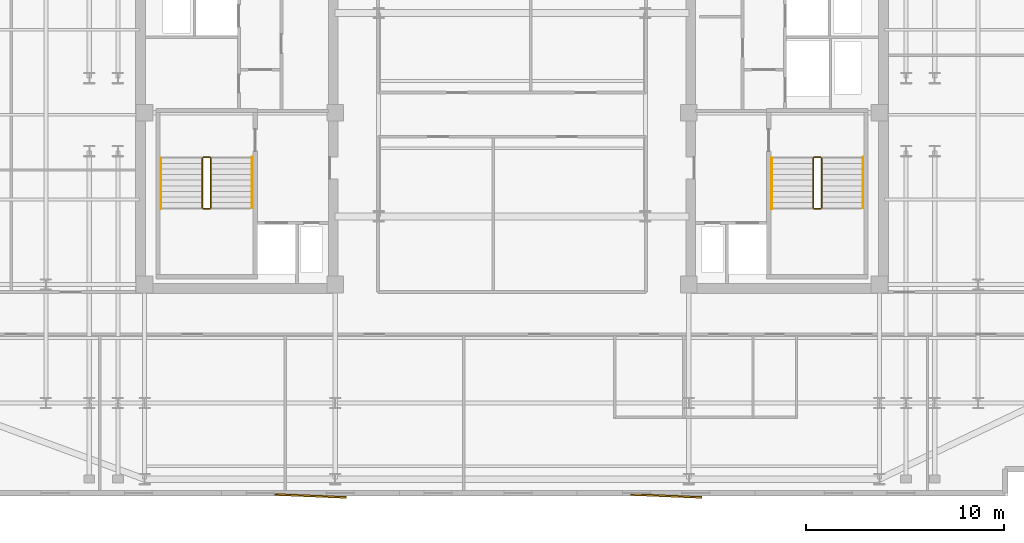
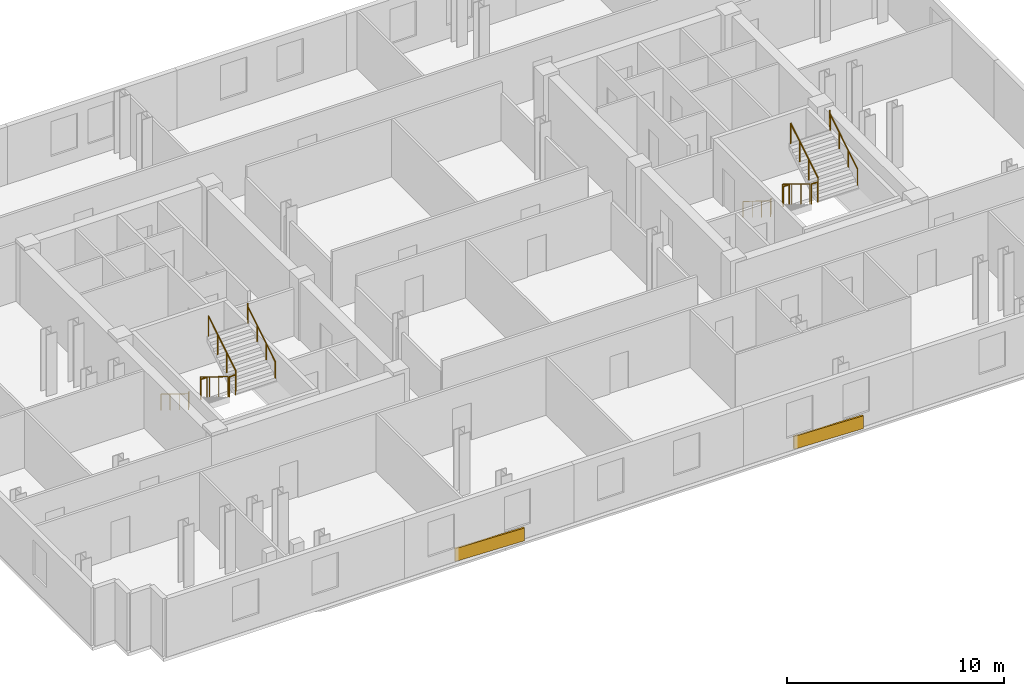
# One storey, part 8 of 9: 12 railings, 2 coverings.
"""IFC4 building model written with IfcOpenShell, lengths in metres."""

from ifc_helpers import new_model, si_unit, direction, frame, origin, origin_2d, place, context, subcontext, project, spatial, rectangle, circle, extrude, material, layer, layer_set, type_object, element, save


model = new_model("IFC4")

# Units and contexts
model_context = context("Model", 3, precision=1e-05, world=origin(), true_north=direction((0.0, 1.0)))
body_context = subcontext(model_context, "Body", "Model", "MODEL_VIEW")
ifc_project = project(units=[si_unit("LENGTHUNIT", "METRE"), si_unit("AREAUNIT", "SQUARE_METRE"), si_unit("VOLUMEUNIT", "CUBIC_METRE"), si_unit("PLANEANGLEUNIT", "RADIAN"), si_unit("MASSUNIT", "GRAM", prefix="KILO")], contexts=[model_context])

# Site, building, storey
site_placement = place(None, origin())
site = spatial("IfcSite", under=ifc_project, at=site_placement, CompositionType="ELEMENT")
building_placement = place(site_placement, origin())
building = spatial("IfcBuilding", under=site, at=building_placement, Name="Velakula Bourse", CompositionType="ELEMENT")
storey_placement = place(building_placement, frame((0.0, 0.0, 222.300048828125)))
storey = spatial("IfcBuildingStorey", under=building, at=storey_placement, Name="L60", CompositionType="ELEMENT", Elevation=222.300048828125)

# Coverings
ifc_material_1 = material(Name="Red kilned clay facing brick masonry", Category="masonry")
ifc_layer = layer(ifc_material_1, 0.090087890625, Name="Red kilned clay facing brick masonry", Category="masonry")
ifc_layer_set = layer_set([ifc_layer], Name="Red kilned clay facing brick masonry")
covering_type = type_object("IfcCoveringType", Name="COV-BRK-FOLD-90", PredefinedType="CLADDING", material=ifc_layer_set)
for number, where, z_axis, x_axis, name in (
    (1, (-10.199951171875, -19.300048828125, 0.0), (0.0, 0.0, 1.0), (0.999158993058, -0.041003738744, 0.0), "L60 Folded Brick Facade Cladding Panel S-B2"),
    (2, (7.800048828125, -19.300048828125, 0.0), (0.0, 0.0, 1.0), (0.999158993058, -0.041003738744, 0.0), "L60 Folded Brick Facade Cladding Panel S-B4"),
):
    element("IfcCovering", number, at=place(storey_placement, frame(where, z_axis=z_axis, x_axis=x_axis)), inside=storey, type_object=covering_type, Name=name, PredefinedType="CLADDING", context=body_context, shape_type="SweptSolid", body=[
        extrude(rectangle(XDim=3.60009765625, YDim=0.090087890625, at=origin_2d()), origin(), (0.0, 0.0, 1.0), 0.719970703125),
    ])

# Railings
ifc_material_2 = material(Name="Brushed grade 316 stainless steel", Category="steel")
railing_type_1 = type_object("IfcRailingType", Name="RLG-STAIR-GUARD-1150", PredefinedType="BALUSTRADE", material=ifc_material_2)
railing_1_placement = place(storey_placement, frame((-15.672119140625, -2.199951171875, 0.17236328125)))
element("IfcRailing", 3, at=railing_1_placement, inside=storey, type_object=railing_type_1, Name="L60 ST-W1 stair guard 1", PredefinedType="BALUSTRADE", context=body_context, shape_type="SweptSolid", body=[
    extrude(circle(Radius=0.02490234375, at=origin_2d()), frame((0.0, 0.0, 1.125), z_axis=(0.0, -0.851400495292, 0.524516154772), x_axis=(1.0, 0.0, 0.0)), (0.0, 0.0, 1.0), 2.9599609375),
    extrude(circle(Radius=0.02099609375, at=origin_2d()), origin(), (0.0, 0.0, 1.0), 1.099853515625),
    extrude(circle(Radius=0.02099609375, at=origin_2d()), frame((0.0, -0.840087890625, 0.517578125)), (0.0, 0.0, 1.0), 1.099853515625),
    extrude(circle(Radius=0.02099609375, at=origin_2d()), frame((0.0, -1.679931640625, 1.034912109375)), (0.0, 0.0, 1.0), 1.099853515625),
    extrude(circle(Radius=0.02099609375, at=origin_2d()), frame((0.0, -2.52001953125, 1.552490234375)), (0.0, 0.0, 1.0), 1.099853515625),
])
railing_2_placement = place(storey_placement, frame((-15.6220703125, -4.77001953125, 1.724853515625)))
element("IfcRailing", 4, at=railing_2_placement, inside=storey, type_object=railing_type_1, Name="L60 ST-W1 stair guard 2", PredefinedType="BALUSTRADE", context=body_context, shape_type="SweptSolid", body=[
    extrude(circle(Radius=0.02490234375, at=origin_2d()), frame((0.0, 0.0, 1.125), z_axis=(1.0, 0.0, 0.0), x_axis=(0.0, 1.0, 0.0)), (0.0, 0.0, 1.0), 0.323974609375),
    extrude(circle(Radius=0.02099609375, at=origin_2d()), origin(), (0.0, 0.0, 1.0), 1.099853515625),
    extrude(circle(Radius=0.02099609375, at=origin_2d()), frame((0.323974609375, 0.0, 0.0)), (0.0, 0.0, 1.0), 1.099853515625),
])
railing_3_placement = place(storey_placement, frame((-15.248046875, -4.719970703125, 1.8974609375)))
element("IfcRailing", 5, at=railing_3_placement, inside=storey, type_object=railing_type_1, Name="L60 ST-W1 stair guard 3", PredefinedType="BALUSTRADE", context=body_context, shape_type="SweptSolid", body=[
    extrude(circle(Radius=0.02490234375, at=origin_2d()), frame((0.0, 0.0, 1.125), z_axis=(0.0, 0.851400495292, 0.524516154772), x_axis=(-1.0, 0.0, 0.0)), (0.0, 0.0, 1.0), 2.9599609375),
    extrude(circle(Radius=0.02099609375, at=origin_2d()), origin(), (0.0, 0.0, 1.0), 1.099853515625),
    extrude(circle(Radius=0.02099609375, at=origin_2d()), frame((0.0, 0.840087890625, 0.517578125)), (0.0, 0.0, 1.0), 1.099853515625),
    extrude(circle(Radius=0.02099609375, at=origin_2d()), frame((0.0, 1.679931640625, 1.034912109375)), (0.0, 0.0, 1.0), 1.099853515625),
    extrude(circle(Radius=0.02099609375, at=origin_2d()), frame((0.0, 2.52001953125, 1.552490234375)), (0.0, 0.0, 1.0), 1.099853515625),
])
railing_4_placement = place(storey_placement, frame((-15.6220703125, -2.14990234375, 0.0)))
element("IfcRailing", 6, at=railing_4_placement, inside=storey, type_object=railing_type_1, Name="L60 ST-W1 stair guard 4", PredefinedType="BALUSTRADE", context=body_context, shape_type="SweptSolid", body=[
    extrude(circle(Radius=0.02490234375, at=origin_2d()), frame((0.0, 0.0, 1.125), z_axis=(1.0, 0.0, 0.0), x_axis=(0.0, 1.0, 0.0)), (0.0, 0.0, 1.0), 0.323974609375),
    extrude(circle(Radius=0.02099609375, at=origin_2d()), origin(), (0.0, 0.0, 1.0), 1.099853515625),
    extrude(circle(Radius=0.02099609375, at=origin_2d()), frame((0.323974609375, 0.0, 0.0)), (0.0, 0.0, 1.0), 1.099853515625),
])
railing_5_placement = place(storey_placement, frame((15.248046875, -2.199951171875, 0.17236328125)))
element("IfcRailing", 7, at=railing_5_placement, inside=storey, type_object=railing_type_1, Name="L60 ST-E1 stair guard 1", PredefinedType="BALUSTRADE", context=body_context, shape_type="SweptSolid", body=[
    extrude(circle(Radius=0.02490234375, at=origin_2d()), frame((0.0, 0.0, 1.125), z_axis=(0.0, -0.851400495292, 0.524516154772), x_axis=(1.0, 0.0, 0.0)), (0.0, 0.0, 1.0), 2.9599609375),
    extrude(circle(Radius=0.02099609375, at=origin_2d()), origin(), (0.0, 0.0, 1.0), 1.099853515625),
    extrude(circle(Radius=0.02099609375, at=origin_2d()), frame((0.0, -0.840087890625, 0.517578125)), (0.0, 0.0, 1.0), 1.099853515625),
    extrude(circle(Radius=0.02099609375, at=origin_2d()), frame((0.0, -1.679931640625, 1.034912109375)), (0.0, 0.0, 1.0), 1.099853515625),
    extrude(circle(Radius=0.02099609375, at=origin_2d()), frame((0.0, -2.52001953125, 1.552490234375)), (0.0, 0.0, 1.0), 1.099853515625),
])
railing_6_placement = place(storey_placement, frame((15.298095703125, -4.77001953125, 1.724853515625)))
element("IfcRailing", 8, at=railing_6_placement, inside=storey, type_object=railing_type_1, Name="L60 ST-E1 stair guard 2", PredefinedType="BALUSTRADE", context=body_context, shape_type="SweptSolid", body=[
    extrude(circle(Radius=0.02490234375, at=origin_2d()), frame((0.0, 0.0, 1.125), z_axis=(1.0, 0.0, 0.0), x_axis=(0.0, 1.0, 0.0)), (0.0, 0.0, 1.0), 0.323974609375),
    extrude(circle(Radius=0.02099609375, at=origin_2d()), origin(), (0.0, 0.0, 1.0), 1.099853515625),
    extrude(circle(Radius=0.02099609375, at=origin_2d()), frame((0.323974609375, 0.0, 0.0)), (0.0, 0.0, 1.0), 1.099853515625),
])
railing_7_placement = place(storey_placement, frame((15.672119140625, -4.719970703125, 1.8974609375)))
element("IfcRailing", 9, at=railing_7_placement, inside=storey, type_object=railing_type_1, Name="L60 ST-E1 stair guard 3", PredefinedType="BALUSTRADE", context=body_context, shape_type="SweptSolid", body=[
    extrude(circle(Radius=0.02490234375, at=origin_2d()), frame((0.0, 0.0, 1.125), z_axis=(0.0, 0.851400495292, 0.524516154772), x_axis=(-1.0, 0.0, 0.0)), (0.0, 0.0, 1.0), 2.9599609375),
    extrude(circle(Radius=0.02099609375, at=origin_2d()), origin(), (0.0, 0.0, 1.0), 1.099853515625),
    extrude(circle(Radius=0.02099609375, at=origin_2d()), frame((0.0, 0.840087890625, 0.517578125)), (0.0, 0.0, 1.0), 1.099853515625),
    extrude(circle(Radius=0.02099609375, at=origin_2d()), frame((0.0, 1.679931640625, 1.034912109375)), (0.0, 0.0, 1.0), 1.099853515625),
    extrude(circle(Radius=0.02099609375, at=origin_2d()), frame((0.0, 2.52001953125, 1.552490234375)), (0.0, 0.0, 1.0), 1.099853515625),
])
railing_8_placement = place(storey_placement, frame((15.298095703125, -2.14990234375, 0.0)))
element("IfcRailing", 10, at=railing_8_placement, inside=storey, type_object=railing_type_1, Name="L60 ST-E1 stair guard 4", PredefinedType="BALUSTRADE", context=body_context, shape_type="SweptSolid", body=[
    extrude(circle(Radius=0.02490234375, at=origin_2d()), frame((0.0, 0.0, 1.125), z_axis=(1.0, 0.0, 0.0), x_axis=(0.0, 1.0, 0.0)), (0.0, 0.0, 1.0), 0.323974609375),
    extrude(circle(Radius=0.02099609375, at=origin_2d()), origin(), (0.0, 0.0, 1.0), 1.099853515625),
    extrude(circle(Radius=0.02099609375, at=origin_2d()), frame((0.323974609375, 0.0, 0.0)), (0.0, 0.0, 1.0), 1.099853515625),
])
railing_type_2 = type_object("IfcRailingType", Name="RLG-STAIR-HAND-920", PredefinedType="HANDRAIL", material=ifc_material_2)
railing_9_placement = place(storey_placement, frame((-17.77001953125, -2.199951171875, 0.17236328125)))
element("IfcRailing", 11, at=railing_9_placement, inside=storey, type_object=railing_type_2, Name="L60 ST-W1 stair handrail 1", PredefinedType="HANDRAIL", context=body_context, shape_type="SweptSolid", body=[
    extrude(circle(Radius=0.02099609375, at=origin_2d()), frame((0.0, 0.0, 0.89892578125), z_axis=(0.0, -0.851400495292, 0.524516154772), x_axis=(1.0, 0.0, 0.0)), (0.0, 0.0, 1.0), 2.9599609375),
    extrude(circle(Radius=0.02099609375, at=origin_2d()), frame((0.0, -2.52001953125, 2.451416015625), z_axis=(0.0, -0.22596628056, 0.974135124123), x_axis=(1.0, 0.0, 0.0)), (0.0, 0.0, 1.0), 0.17724609375),
    extrude(circle(Radius=0.02099609375, at=origin_2d()), frame((0.0, -2.56005859375, 2.6240234375), z_axis=(0.0, -1.0, 0.0), x_axis=(1.0, 0.0, 0.0)), (0.0, 0.0, 1.0), 0.0048828125),
    extrude(circle(Radius=0.02099609375, at=origin_2d()), origin(), (0.0, 0.0, 1.0), 0.8779296875),
    extrude(circle(Radius=0.02099609375, at=origin_2d()), frame((0.0, -0.840087890625, 0.517578125)), (0.0, 0.0, 1.0), 0.8779296875),
    extrude(circle(Radius=0.02099609375, at=origin_2d()), frame((0.0, -1.679931640625, 1.034912109375)), (0.0, 0.0, 1.0), 0.8779296875),
    extrude(circle(Radius=0.02099609375, at=origin_2d()), frame((0.0, -2.52001953125, 1.552490234375)), (0.0, 0.0, 1.0), 0.8779296875),
    extrude(circle(Radius=0.02099609375, at=origin_2d()), frame((0.0, -2.56005859375, 1.72509765625)), (0.0, 0.0, 1.0), 0.8779296875),
    extrude(circle(Radius=0.02099609375, at=origin_2d()), frame((0.0, -2.56494140625, 1.72509765625)), (0.0, 0.0, 1.0), 0.8779296875),
])
railing_10_placement = place(storey_placement, frame((-13.14990234375, -4.719970703125, 1.8974609375)))
element("IfcRailing", 12, at=railing_10_placement, inside=storey, type_object=railing_type_2, Name="L60 ST-W1 stair handrail 2", PredefinedType="HANDRAIL", context=body_context, shape_type="SweptSolid", body=[
    extrude(circle(Radius=0.02099609375, at=origin_2d()), frame((0.0, 0.0, 0.89892578125), z_axis=(0.0, 0.851400495292, 0.524516154772), x_axis=(-1.0, 0.0, 0.0)), (0.0, 0.0, 1.0), 2.9599609375),
    extrude(circle(Radius=0.02099609375, at=origin_2d()), frame((0.0, 2.52001953125, 2.451416015625), z_axis=(0.0, 0.22596628056, 0.974135124123), x_axis=(-1.0, 0.0, 0.0)), (0.0, 0.0, 1.0), 0.17724609375),
    extrude(circle(Radius=0.02099609375, at=origin_2d()), frame((0.0, 2.56005859375, 2.6240234375), z_axis=(0.0, 1.0, 0.0), x_axis=(-1.0, 0.0, 0.0)), (0.0, 0.0, 1.0), 0.0048828125),
    extrude(circle(Radius=0.02099609375, at=origin_2d()), origin(), (0.0, 0.0, 1.0), 0.8779296875),
    extrude(circle(Radius=0.02099609375, at=origin_2d()), frame((0.0, 0.840087890625, 0.517578125)), (0.0, 0.0, 1.0), 0.8779296875),
    extrude(circle(Radius=0.02099609375, at=origin_2d()), frame((0.0, 1.679931640625, 1.034912109375)), (0.0, 0.0, 1.0), 0.8779296875),
    extrude(circle(Radius=0.02099609375, at=origin_2d()), frame((0.0, 2.52001953125, 1.552490234375)), (0.0, 0.0, 1.0), 0.8779296875),
    extrude(circle(Radius=0.02099609375, at=origin_2d()), frame((0.0, 2.56005859375, 1.72509765625)), (0.0, 0.0, 1.0), 0.8779296875),
    extrude(circle(Radius=0.02099609375, at=origin_2d()), frame((0.0, 2.56494140625, 1.72509765625)), (0.0, 0.0, 1.0), 0.8779296875),
])
railing_11_placement = place(storey_placement, frame((13.14990234375, -2.199951171875, 0.17236328125)))
element("IfcRailing", 13, at=railing_11_placement, inside=storey, type_object=railing_type_2, Name="L60 ST-E1 stair handrail 1", PredefinedType="HANDRAIL", context=body_context, shape_type="SweptSolid", body=[
    extrude(circle(Radius=0.02099609375, at=origin_2d()), frame((0.0, 0.0, 0.89892578125), z_axis=(0.0, -0.851400495292, 0.524516154772), x_axis=(1.0, 0.0, 0.0)), (0.0, 0.0, 1.0), 2.9599609375),
    extrude(circle(Radius=0.02099609375, at=origin_2d()), frame((0.0, -2.52001953125, 2.451416015625), z_axis=(0.0, -0.22596628056, 0.974135124123), x_axis=(1.0, 0.0, 0.0)), (0.0, 0.0, 1.0), 0.17724609375),
    extrude(circle(Radius=0.02099609375, at=origin_2d()), frame((0.0, -2.56005859375, 2.6240234375), z_axis=(0.0, -1.0, 0.0), x_axis=(1.0, 0.0, 0.0)), (0.0, 0.0, 1.0), 0.0048828125),
    extrude(circle(Radius=0.02099609375, at=origin_2d()), origin(), (0.0, 0.0, 1.0), 0.8779296875),
    extrude(circle(Radius=0.02099609375, at=origin_2d()), frame((0.0, -0.840087890625, 0.517578125)), (0.0, 0.0, 1.0), 0.8779296875),
    extrude(circle(Radius=0.02099609375, at=origin_2d()), frame((0.0, -1.679931640625, 1.034912109375)), (0.0, 0.0, 1.0), 0.8779296875),
    extrude(circle(Radius=0.02099609375, at=origin_2d()), frame((0.0, -2.52001953125, 1.552490234375)), (0.0, 0.0, 1.0), 0.8779296875),
    extrude(circle(Radius=0.02099609375, at=origin_2d()), frame((0.0, -2.56005859375, 1.72509765625)), (0.0, 0.0, 1.0), 0.8779296875),
    extrude(circle(Radius=0.02099609375, at=origin_2d()), frame((0.0, -2.56494140625, 1.72509765625)), (0.0, 0.0, 1.0), 0.8779296875),
])
railing_12_placement = place(storey_placement, frame((17.77001953125, -4.719970703125, 1.8974609375)))
element("IfcRailing", 14, at=railing_12_placement, inside=storey, type_object=railing_type_2, Name="L60 ST-E1 stair handrail 2", PredefinedType="HANDRAIL", context=body_context, shape_type="SweptSolid", body=[
    extrude(circle(Radius=0.02099609375, at=origin_2d()), frame((0.0, 0.0, 0.89892578125), z_axis=(0.0, 0.851400495292, 0.524516154772), x_axis=(-1.0, 0.0, 0.0)), (0.0, 0.0, 1.0), 2.9599609375),
    extrude(circle(Radius=0.02099609375, at=origin_2d()), frame((0.0, 2.52001953125, 2.451416015625), z_axis=(0.0, 0.22596628056, 0.974135124123), x_axis=(-1.0, 0.0, 0.0)), (0.0, 0.0, 1.0), 0.17724609375),
    extrude(circle(Radius=0.02099609375, at=origin_2d()), frame((0.0, 2.56005859375, 2.6240234375), z_axis=(0.0, 1.0, 0.0), x_axis=(-1.0, 0.0, 0.0)), (0.0, 0.0, 1.0), 0.0048828125),
    extrude(circle(Radius=0.02099609375, at=origin_2d()), origin(), (0.0, 0.0, 1.0), 0.8779296875),
    extrude(circle(Radius=0.02099609375, at=origin_2d()), frame((0.0, 0.840087890625, 0.517578125)), (0.0, 0.0, 1.0), 0.8779296875),
    extrude(circle(Radius=0.02099609375, at=origin_2d()), frame((0.0, 1.679931640625, 1.034912109375)), (0.0, 0.0, 1.0), 0.8779296875),
    extrude(circle(Radius=0.02099609375, at=origin_2d()), frame((0.0, 2.52001953125, 1.552490234375)), (0.0, 0.0, 1.0), 0.8779296875),
    extrude(circle(Radius=0.02099609375, at=origin_2d()), frame((0.0, 2.56005859375, 1.72509765625)), (0.0, 0.0, 1.0), 0.8779296875),
    extrude(circle(Radius=0.02099609375, at=origin_2d()), frame((0.0, 2.56494140625, 1.72509765625)), (0.0, 0.0, 1.0), 0.8779296875),
])

save(model, "model.ifc")
